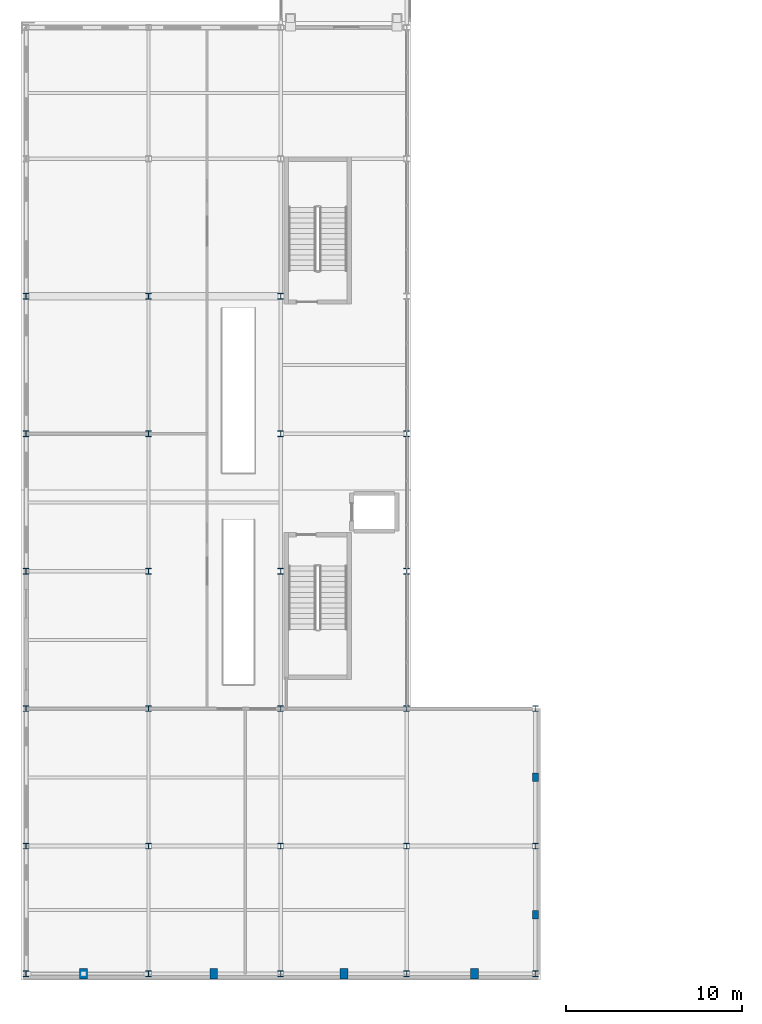
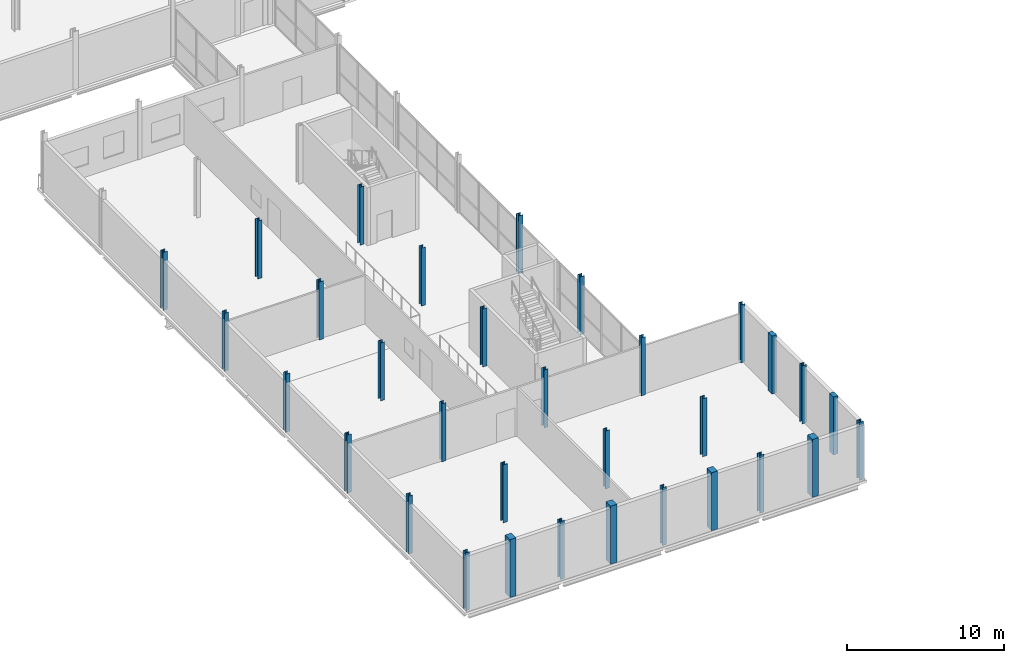
# One storey, part 1 of 77: 32 columns.
"""IFC4 building model written with IfcOpenShell, lengths in metres."""

from ifc_helpers import new_model, si_unit, direction, frame, origin, origin_2d, place, context, subcontext, project, spatial, rectangle, i_section, extrude, material, material_profile, profile_set, type_object, element, save


model = new_model("IFC4")

# Units and contexts
model_context = context("Model", 3, precision=1e-05, world=origin(), true_north=direction((0.0, 1.0)))
body_context = subcontext(model_context, "Body", "Model", "MODEL_VIEW")
ifc_project = project(units=[si_unit("LENGTHUNIT", "METRE"), si_unit("AREAUNIT", "SQUARE_METRE"), si_unit("VOLUMEUNIT", "CUBIC_METRE"), si_unit("PLANEANGLEUNIT", "RADIAN"), si_unit("MASSUNIT", "GRAM", prefix="KILO")], contexts=[model_context])

# Site, building, storey
site_placement = place(None, origin())
site = spatial("IfcSite", under=ifc_project, at=site_placement, CompositionType="ELEMENT")
building_placement = place(site_placement, origin())
building = spatial("IfcBuilding", under=site, at=building_placement, Name="Quillay Park Conservatory", CompositionType="ELEMENT")
storey_placement = place(building_placement, frame((0.0, 0.0, 5.39990234375)))
storey = spatial("IfcBuildingStorey", under=building, at=storey_placement, Name="L01", CompositionType="ELEMENT", Elevation=5.39990234375)

# Columns
ifc_material_1 = material(Name="Steel ASTM A992 Grade 50", Category="steel")
ifc_material_profile_1 = material_profile(ifc_material_1, i_section(OverallWidth=0.30908203125, OverallDepth=0.322998046875, WebThickness=0.013916015625, FlangeThickness=0.02294921875, FilletRadius=0.014892578125, at=origin_2d()), Name="W310x143")
ifc_profile_set_1 = profile_set([ifc_material_profile_1], Name="Steel ASTM A992 Grade 50")
column_type_1 = type_object("IfcColumnType", Name="COMPOSITE STEEL COLUMN W310 X143", PredefinedType="COLUMN", material=ifc_profile_set_1)
for number, where, z_axis, x_axis, name in (
    (1, (0.550048828125, 0.550048828125, 0.0), (0.0, 0.0, 1.0), (1.0, 0.0, 0.0), "L01 column COL-V3-L01-0-0"),
    (2, (0.550048828125, 7.800048828125, 0.0), (0.0, 0.0, 1.0), (1.0, 0.0, 0.0), "L01 column COL-V3-L01-0-1"),
    (3, (0.550048828125, 15.60009765625, 0.0), (0.0, 0.0, 1.0), (1.0, 0.0, 0.0), "L01 column COL-V3-L01-0-2"),
    (4, (0.550048828125, 23.39990234375, 0.0), (0.0, 0.0, 1.0), (1.0, 0.0, 0.0), "L01 column COL-V3-L01-0-3"),
    (5, (0.550048828125, 31.199951171875, 0.0), (0.0, 0.0, 1.0), (1.0, 0.0, 0.0), "L01 column COL-V3-L01-0-4"),
    (6, (0.550048828125, 39.0, 0.0), (0.0, 0.0, 1.0), (1.0, 0.0, 0.0), "L01 column COL-V3-L01-0-5"),
    (7, (7.5, 0.550048828125, 0.0), (0.0, 0.0, 1.0), (1.0, 0.0, 0.0), "L01 column COL-V3-L01-1-0"),
    (8, (7.5, 7.800048828125, 0.0), (0.0, 0.0, 1.0), (1.0, 0.0, 0.0), "L01 column COL-V3-L01-1-1"),
    (9, (7.5, 15.60009765625, 0.0), (0.0, 0.0, 1.0), (1.0, 0.0, 0.0), "L01 column COL-V3-L01-1-2"),
    (10, (7.5, 23.39990234375, 0.0), (0.0, 0.0, 1.0), (1.0, 0.0, 0.0), "L01 column COL-V3-L01-1-3"),
    (11, (7.5, 31.199951171875, 0.0), (0.0, 0.0, 1.0), (1.0, 0.0, 0.0), "L01 column COL-V3-L01-1-4"),
    (12, (7.5, 39.0, 0.0), (0.0, 0.0, 1.0), (1.0, 0.0, 0.0), "L01 column COL-V3-L01-1-5"),
    (13, (15.0, 0.550048828125, 0.0), (0.0, 0.0, 1.0), (1.0, 0.0, 0.0), "L01 column COL-V3-L01-2-0"),
    (14, (15.0, 7.800048828125, 0.0), (0.0, 0.0, 1.0), (1.0, 0.0, 0.0), "L01 column COL-V3-L01-2-1"),
    (15, (15.0, 15.60009765625, 0.0), (0.0, 0.0, 1.0), (1.0, 0.0, 0.0), "L01 column COL-V3-L01-2-2"),
    (16, (15.0, 23.39990234375, 0.0), (0.0, 0.0, 1.0), (1.0, 0.0, 0.0), "L01 column COL-V3-L01-2-3"),
    (17, (15.0, 31.199951171875, 0.0), (0.0, 0.0, 1.0), (1.0, 0.0, 0.0), "L01 column COL-V3-L01-2-4"),
    (18, (15.0, 39.0, 0.0), (0.0, 0.0, 1.0), (1.0, 0.0, 0.0), "L01 column COL-V3-L01-2-5"),
    (19, (22.14990234375, 0.550048828125, 0.0), (0.0, 0.0, 1.0), (1.0, 0.0, 0.0), "L01 column COL-V3-L01-3-0"),
    (20, (22.14990234375, 7.800048828125, 0.0), (0.0, 0.0, 1.0), (1.0, 0.0, 0.0), "L01 column COL-V3-L01-3-1"),
    (21, (22.14990234375, 15.60009765625, 0.0), (0.0, 0.0, 1.0), (1.0, 0.0, 0.0), "L01 column COL-V3-L01-3-2"),
    (22, (22.14990234375, 23.39990234375, 0.0), (0.0, 0.0, 1.0), (1.0, 0.0, 0.0), "L01 column COL-V3-L01-3-3"),
    (23, (22.14990234375, 31.199951171875, 0.0), (0.0, 0.0, 1.0), (1.0, 0.0, 0.0), "L01 column COL-V3-L01-3-4"),
    (24, (29.449951171875, 0.550048828125, 0.0), (0.0, 0.0, 1.0), (1.0, 0.0, 0.0), "L01 column COL-V3-L01-4-0"),
    (25, (29.449951171875, 7.800048828125, 0.0), (0.0, 0.0, 1.0), (1.0, 0.0, 0.0), "L01 column COL-V3-L01-4-1"),
    (26, (29.449951171875, 15.60009765625, 0.0), (0.0, 0.0, 1.0), (1.0, 0.0, 0.0), "L01 column COL-V3-L01-4-2"),
):
    element("IfcColumn", number, at=place(storey_placement, frame(where, z_axis=z_axis, x_axis=x_axis)), inside=storey, type_object=column_type_1, Name=name, PredefinedType="COLUMN", context=body_context, shape_type="SweptSolid", body=[
        extrude(i_section(OverallWidth=0.30908203125, OverallDepth=0.322998046875, WebThickness=0.013916015625, FlangeThickness=0.02294921875, FilletRadius=0.014892578125, at=origin_2d()), origin(), (0.0, 0.0, 1.0), 4.5),
    ])
ifc_material_2 = material(Name="Concrete C35/45 (NCh170 Concrete C35/45)", Category="concrete")
ifc_material_profile_2 = material_profile(ifc_material_2, rectangle(XDim=0.35009765625, YDim=0.5, at=origin_2d()), Name="RC500x350")
ifc_profile_set_2 = profile_set([ifc_material_profile_2], Name="Concrete C35/45 (NCh170 Concrete C35/45)")
column_type_2 = type_object("IfcColumnType", Name="ENGAGED CONCRETE PILASTER 500 X350", PredefinedType="PILASTER", material=ifc_profile_set_2)
for number, where, z_axis, x_axis, name in (
    (27, (29.449951171875, 3.89990234375, 0.0), (0.0, 0.0, 1.0), (1.0, 0.0, 0.0), "L01 column PIL-V3-L01-4"),
    (28, (29.449951171875, 11.699951171875, 0.0), (0.0, 0.0, 1.0), (1.0, 0.0, 0.0), "L01 column PIL-V3-L01-5"),
):
    element("IfcColumn", number, at=place(storey_placement, frame(where, z_axis=z_axis, x_axis=x_axis)), inside=storey, type_object=column_type_2, Name=name, PredefinedType="PILASTER", context=body_context, shape_type="SweptSolid", body=[
        extrude(rectangle(XDim=0.35009765625, YDim=0.5, at=origin_2d()), origin(), (0.0, 0.0, 1.0), 4.5),
    ])
ifc_material_3 = material(Name="Concrete C35/45 (NCh170 Concrete C35/45)", Category="concrete")
ifc_material_profile_3 = material_profile(ifc_material_3, rectangle(XDim=0.449951171875, YDim=0.60009765625, at=origin_2d()), Name="RC600x450")
ifc_profile_set_3 = profile_set([ifc_material_profile_3], Name="Concrete C35/45 (NCh170 Concrete C35/45)")
column_type_3 = type_object("IfcColumnType", Name="ENGAGED CONCRETE PILASTER 600 X450", PredefinedType="PILASTER", material=ifc_profile_set_3)
for number, where, z_axis, x_axis, name in (
    (29, (3.800048828125, 0.550048828125, 0.0), (0.0, 0.0, 1.0), (1.0, 0.0, 0.0), "L01 column PIL-V3-L01-0"),
    (30, (11.199951171875, 0.550048828125, 0.0), (0.0, 0.0, 1.0), (1.0, 0.0, 0.0), "L01 column PIL-V3-L01-1"),
    (31, (18.60009765625, 0.550048828125, 0.0), (0.0, 0.0, 1.0), (1.0, 0.0, 0.0), "L01 column PIL-V3-L01-2"),
    (32, (26.0, 0.550048828125, 0.0), (0.0, 0.0, 1.0), (1.0, 0.0, 0.0), "L01 column PIL-V3-L01-3"),
):
    element("IfcColumn", number, at=place(storey_placement, frame(where, z_axis=z_axis, x_axis=x_axis)), inside=storey, type_object=column_type_3, Name=name, PredefinedType="PILASTER", context=body_context, shape_type="SweptSolid", body=[
        extrude(rectangle(XDim=0.449951171875, YDim=0.60009765625, at=origin_2d()), origin(), (0.0, 0.0, 1.0), 4.5),
    ])

save(model, "model.ifc")
